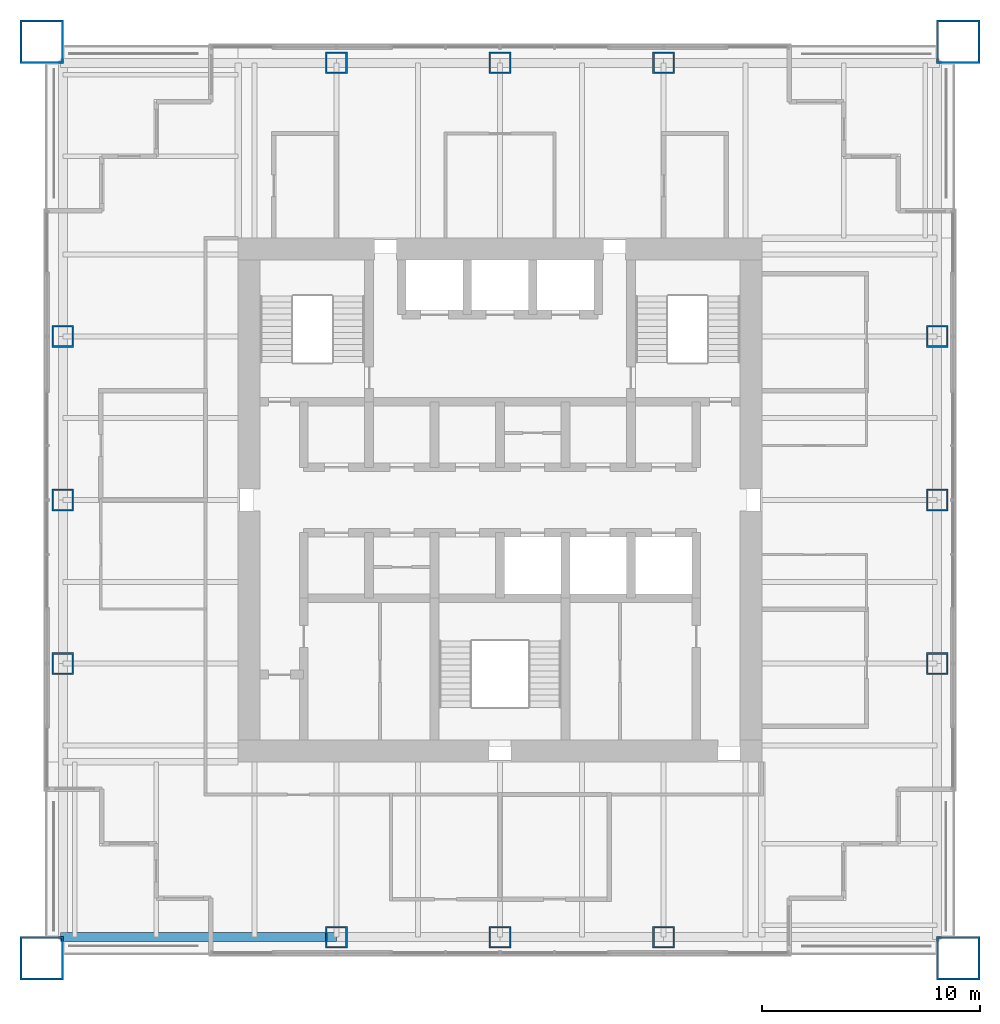
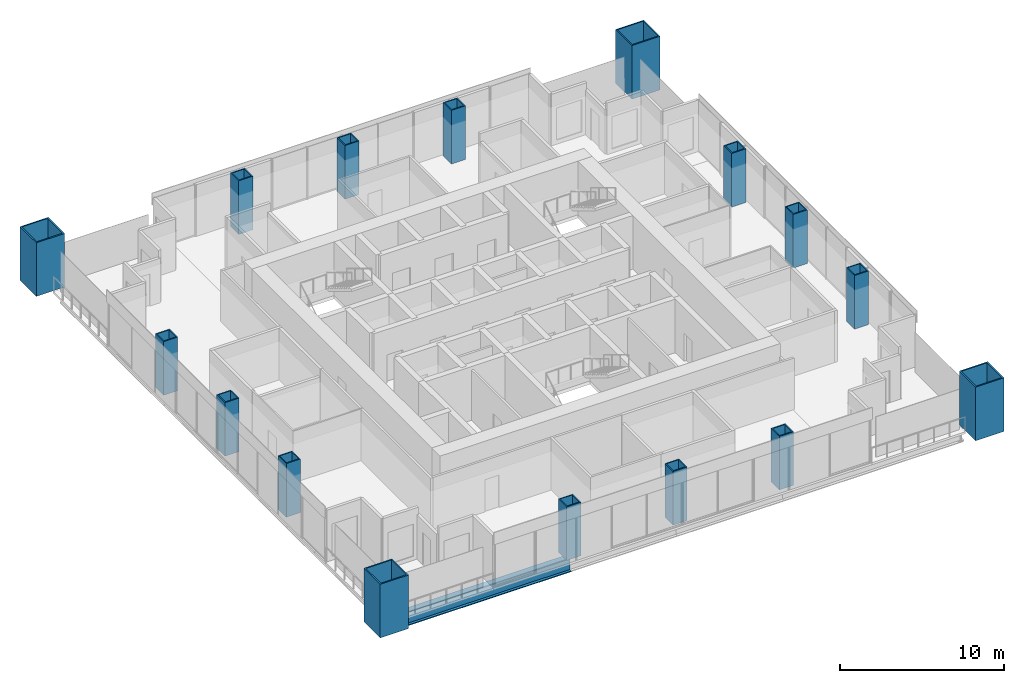
# One storey, part 1 of 14: 16 columns, 1 beam.
"""IFC4 building model written with IfcOpenShell, lengths in metres."""

from ifc_helpers import new_model, si_unit, direction, frame, origin, origin_2d, place, context, subcontext, project, spatial, hollow_rectangle, i_section, extrude, material, material_profile, profile_set, type_object, element, save


model = new_model("IFC4")

# Units and contexts
model_context = context("Model", 3, precision=1e-05, world=origin(), true_north=direction((0.0, 1.0)))
body_context = subcontext(model_context, "Body", "Model", "MODEL_VIEW")
ifc_project = project(units=[si_unit("LENGTHUNIT", "METRE"), si_unit("AREAUNIT", "SQUARE_METRE"), si_unit("VOLUMEUNIT", "CUBIC_METRE"), si_unit("PLANEANGLEUNIT", "RADIAN"), si_unit("MASSUNIT", "GRAM", prefix="KILO")], contexts=[model_context])

# Site, building, storey
site_placement = place(None, origin())
site = spatial("IfcSite", under=ifc_project, at=site_placement, CompositionType="ELEMENT")
building_placement = place(site_placement, origin())
building = spatial("IfcBuilding", under=site, at=building_placement, Name="Tarangal Relay Tower", CompositionType="ELEMENT")
storey_placement = place(building_placement, frame((0.0, 0.0, 307.89990234375)))
storey = spatial("IfcBuildingStorey", under=building, at=storey_placement, Name="L68", CompositionType="ELEMENT", Elevation=307.89990234375)

# Columns
ifc_material_1 = material(Name="Steel ASTM A572 Grade 50", Category="steel")
ifc_material_profile_1 = material_profile(ifc_material_1, hollow_rectangle(XDim=2.0, YDim=2.0, WallThickness=0.094970703125, at=origin_2d()), Name="BOX2000X2000X95")
ifc_profile_set_1 = profile_set([ifc_material_profile_1], Name="Steel ASTM A572 Grade 50")
column_type_1 = type_object("IfcColumnType", Name="Mega column BOX2000X2000X95", PredefinedType="COLUMN", material=ifc_profile_set_1)
for number, where, z_axis, x_axis, name in (
    (1, (21.0, 21.0, 0.0), (0.0, 0.0, 1.0), (1.0, 0.0, 0.0), "Mega column MC4 NE L68"),
    (2, (21.0, -21.0, 0.0), (0.0, 0.0, 1.0), (1.0, 0.0, 0.0), "Mega column MC4 SE L68"),
    (3, (-21.0, -21.0, 0.0), (0.0, 0.0, 1.0), (1.0, 0.0, 0.0), "Mega column MC4 SW L68"),
    (4, (-21.0, 21.0, 0.0), (0.0, 0.0, 1.0), (1.0, 0.0, 0.0), "Mega column MC4 NW L68"),
):
    element("IfcColumn", number, at=place(storey_placement, frame(where, z_axis=z_axis, x_axis=x_axis)), inside=storey, type_object=column_type_1, Name=name, PredefinedType="COLUMN", context=body_context, shape_type="SweptSolid", body=[
        extrude(hollow_rectangle(XDim=2.0, YDim=2.0, WallThickness=0.094970703125, at=origin_2d()), origin(), (0.0, 0.0, 1.0), 4.0),
    ])
ifc_material_profile_2 = material_profile(ifc_material_1, hollow_rectangle(XDim=1.0, YDim=1.0, WallThickness=0.074951171875, at=origin_2d()), Name="BOX1000X1000X75")
ifc_profile_set_2 = profile_set([ifc_material_profile_2], Name="Steel ASTM A572 Grade 50")
column_type_2 = type_object("IfcColumnType", Name="Perimeter column BOX1000X1000X75", PredefinedType="COLUMN", material=ifc_profile_set_2)
for number, where, z_axis, x_axis, name in (
    (5, (-7.5, 20.0400390625, 0.0), (0.0, 0.0, 1.0), (1.0, 0.0, 0.0), "Perimeter column PC5 N L68"),
    (6, (0.0, 20.0400390625, 0.0), (0.0, 0.0, 1.0), (1.0, 0.0, 0.0), "Perimeter column PC5 N L68"),
    (7, (7.5, 20.0400390625, 0.0), (0.0, 0.0, 1.0), (1.0, 0.0, 0.0), "Perimeter column PC5 N L68"),
    (8, (20.0400390625, 7.5, 0.0), (0.0, 0.0, 1.0), (1.0, 0.0, 0.0), "Perimeter column PC5 E L68"),
    (9, (20.0400390625, 0.0, 0.0), (0.0, 0.0, 1.0), (1.0, 0.0, 0.0), "Perimeter column PC5 E L68"),
    (10, (20.0400390625, -7.5, 0.0), (0.0, 0.0, 1.0), (1.0, 0.0, 0.0), "Perimeter column PC5 E L68"),
    (11, (7.5, -20.0400390625, 0.0), (0.0, 0.0, 1.0), (1.0, 0.0, 0.0), "Perimeter column PC5 S L68"),
    (12, (0.0, -20.0400390625, 0.0), (0.0, 0.0, 1.0), (1.0, 0.0, 0.0), "Perimeter column PC5 S L68"),
    (13, (-7.5, -20.0400390625, 0.0), (0.0, 0.0, 1.0), (1.0, 0.0, 0.0), "Perimeter column PC5 S L68"),
    (14, (-20.0400390625, -7.5, 0.0), (0.0, 0.0, 1.0), (1.0, 0.0, 0.0), "Perimeter column PC5 W L68"),
    (15, (-20.0400390625, 0.0, 0.0), (0.0, 0.0, 1.0), (1.0, 0.0, 0.0), "Perimeter column PC5 W L68"),
    (16, (-20.0400390625, 7.5, 0.0), (0.0, 0.0, 1.0), (1.0, 0.0, 0.0), "Perimeter column PC5 W L68"),
):
    element("IfcColumn", number, at=place(storey_placement, frame(where, z_axis=z_axis, x_axis=x_axis)), inside=storey, type_object=column_type_2, Name=name, PredefinedType="COLUMN", context=body_context, shape_type="SweptSolid", body=[
        extrude(hollow_rectangle(XDim=1.0, YDim=1.0, WallThickness=0.074951171875, at=origin_2d()), origin(), (0.0, 0.0, 1.0), 4.0),
    ])

# Beam
ifc_material_2 = material(Name="Steel ASTM A992", Category="steel")
ifc_material_profile_3 = material_profile(ifc_material_2, i_section(OverallWidth=0.41162109375, OverallDepth=1.049072265625, WebThickness=0.033935546875, FlangeThickness=0.059814453125, at=origin_2d()), Name="W40X431")
ifc_profile_set_3 = profile_set([ifc_material_profile_3], Name="Steel ASTM A992")
beam_type = type_object("IfcBeamType", Name="Edge girder W40X431", PredefinedType="SPANDREL", material=ifc_profile_set_3)
beam_placement = place(storey_placement, frame((-7.5, -20.0400390625, -0.67431640625), z_axis=(-1.0, 0.0, 0.0), x_axis=(0.0, -1.0, 0.0)))
element("IfcBeam", 17, at=beam_placement, inside=storey, type_object=beam_type, Name="Edge girder EG1 S L68", PredefinedType="SPANDREL", context=body_context, shape_type="SweptSolid", body=[
    extrude(i_section(OverallWidth=0.41162109375, OverallDepth=1.049072265625, WebThickness=0.033935546875, FlangeThickness=0.059814453125, at=origin_2d()), origin(), (0.0, 0.0, 1.0), 12.64990234375),
])

save(model, "model.ifc")
